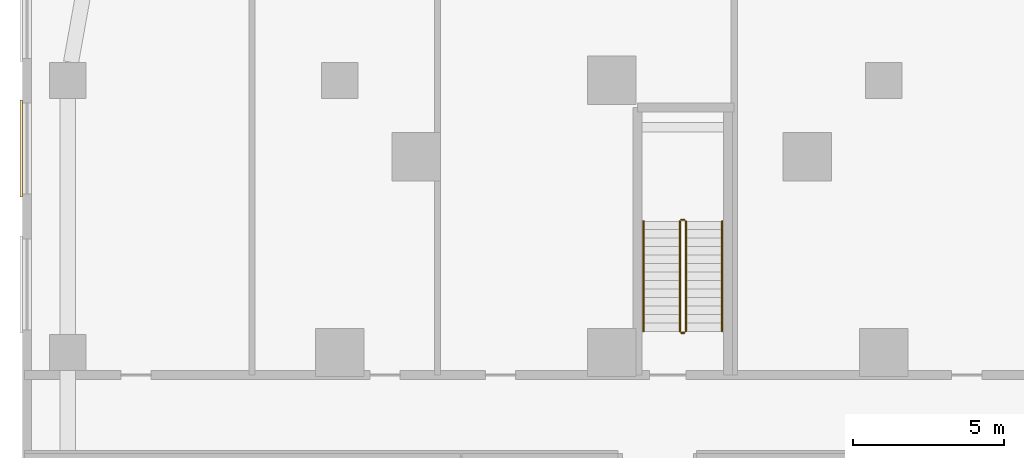
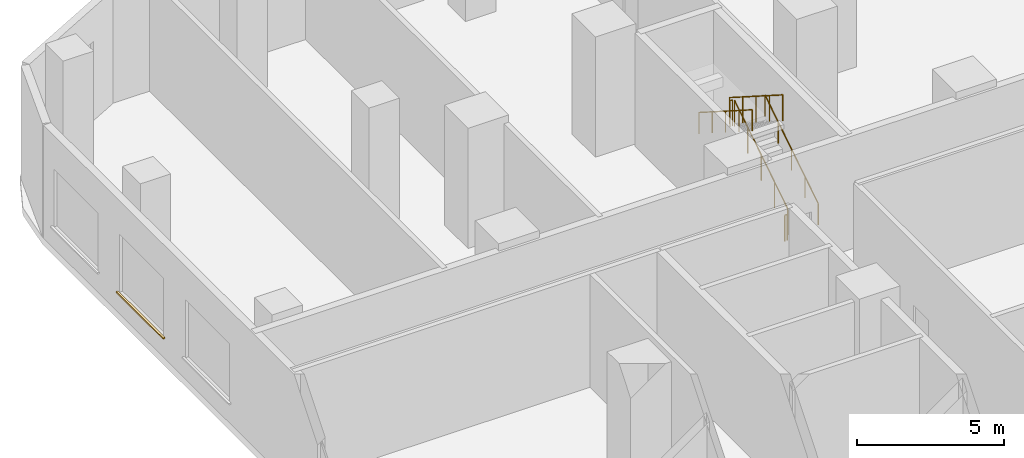
# One storey, part 28 of 35: 6 railings, 1 covering.
"""IFC4 building model written with IfcOpenShell, lengths in metres."""

from ifc_helpers import new_model, si_unit, direction, frame, origin, origin_2d, place, context, subcontext, project, spatial, rectangle, circle, extrude, material, layer, layer_set, type_object, element, save


model = new_model("IFC4")

# Units and contexts
model_context = context("Model", 3, precision=1e-05, world=origin(), true_north=direction((0.0, 1.0)))
body_context = subcontext(model_context, "Body", "Model", "MODEL_VIEW")
ifc_project = project(units=[si_unit("LENGTHUNIT", "METRE"), si_unit("AREAUNIT", "SQUARE_METRE"), si_unit("VOLUMEUNIT", "CUBIC_METRE"), si_unit("PLANEANGLEUNIT", "RADIAN"), si_unit("MASSUNIT", "GRAM", prefix="KILO")], contexts=[model_context])

# Site, building, storey
site_placement = place(None, origin())
site = spatial("IfcSite", under=ifc_project, at=site_placement, CompositionType="ELEMENT")
building_placement = place(site_placement, origin())
building = spatial("IfcBuilding", under=site, at=building_placement, Name="Ogive Portal Towers", CompositionType="ELEMENT")
storey_placement = place(building_placement, frame((0.0, 0.0, 18.5)))
storey = spatial("IfcBuildingStorey", under=building, at=storey_placement, Name="L03", CompositionType="ELEMENT", Elevation=18.5)

# Railings
ifc_material_1 = material(Name="Stainless steel balustrade", Category="steel")
railing_type_1 = type_object("IfcRailingType", Name="INT-GUARD", PredefinedType="GUARDRAIL", material=ifc_material_1)
railing_1_placement = place(storey_placement, frame((42.949951171875, 67.199951171875, 0.178466796875)))
element("IfcRailing", 1, at=railing_1_placement, inside=storey, type_object=railing_type_1, Name="L03 ST-A3 stair guard 1", PredefinedType="GUARDRAIL", context=body_context, shape_type="SweptSolid", body=[
    extrude(circle(Radius=0.02392578125, at=origin_2d()), frame((0.0, 0.0, 1.076171875), z_axis=(0.0, 0.843127859045, 0.537713132908), x_axis=(-1.0, 0.0, 0.0)), (0.0, 0.0, 1.0), 4.3173828125),
    extrude(circle(Radius=0.02099609375, at=origin_2d()), origin(), (0.0, 0.0, 1.0), 1.052001953125),
    extrude(circle(Radius=0.02099609375, at=origin_2d()), frame((0.0, 0.91015625, 0.580322265625)), (0.0, 0.0, 1.0), 1.052001953125),
    extrude(circle(Radius=0.02099609375, at=origin_2d()), frame((0.0, 1.820068359375, 1.16064453125)), (0.0, 0.0, 1.0), 1.052001953125),
    extrude(circle(Radius=0.02099609375, at=origin_2d()), frame((0.0, 2.72998046875, 1.7412109375)), (0.0, 0.0, 1.0), 1.052001953125),
    extrude(circle(Radius=0.02099609375, at=origin_2d()), frame((0.0, 3.64013671875, 2.321533203125)), (0.0, 0.0, 1.0), 1.052001953125),
])
railing_2_placement = place(storey_placement, frame((42.89990234375, 70.889892578125, 2.5)))
element("IfcRailing", 2, at=railing_2_placement, inside=storey, type_object=railing_type_1, Name="L03 ST-A3 stair guard 2", PredefinedType="GUARDRAIL", context=body_context, shape_type="SweptSolid", body=[
    extrude(circle(Radius=0.02392578125, at=origin_2d()), frame((0.0, 0.0, 1.076171875), z_axis=(-1.0, 0.0, 0.0), x_axis=(0.0, -1.0, 0.0)), (0.0, 0.0, 1.0), 0.099853515625),
    extrude(circle(Radius=0.02099609375, at=origin_2d()), origin(), (0.0, 0.0, 1.0), 1.052001953125),
    extrude(circle(Radius=0.02099609375, at=origin_2d()), frame((-0.099853515625, 0.0, 0.0)), (0.0, 0.0, 1.0), 1.052001953125),
])
railing_3_placement = place(storey_placement, frame((42.75, 70.840087890625, 2.678466796875)))
element("IfcRailing", 3, at=railing_3_placement, inside=storey, type_object=railing_type_1, Name="L03 ST-A3 stair guard 3", PredefinedType="GUARDRAIL", context=body_context, shape_type="SweptSolid", body=[
    extrude(circle(Radius=0.02392578125, at=origin_2d()), frame((0.0, 0.0, 1.076171875), z_axis=(0.0, -0.843127859045, 0.537713132908), x_axis=(1.0, 0.0, 0.0)), (0.0, 0.0, 1.0), 4.3173828125),
    extrude(circle(Radius=0.02099609375, at=origin_2d()), origin(), (0.0, 0.0, 1.0), 1.052001953125),
    extrude(circle(Radius=0.02099609375, at=origin_2d()), frame((0.0, -0.91015625, 0.580322265625)), (0.0, 0.0, 1.0), 1.052001953125),
    extrude(circle(Radius=0.02099609375, at=origin_2d()), frame((0.0, -1.820068359375, 1.16064453125)), (0.0, 0.0, 1.0), 1.052001953125),
    extrude(circle(Radius=0.02099609375, at=origin_2d()), frame((0.0, -2.72998046875, 1.7412109375)), (0.0, 0.0, 1.0), 1.052001953125),
    extrude(circle(Radius=0.02099609375, at=origin_2d()), frame((0.0, -3.64013671875, 2.321533203125)), (0.0, 0.0, 1.0), 1.052001953125),
])
railing_4_placement = place(storey_placement, frame((42.89990234375, 67.14990234375, 0.0)))
element("IfcRailing", 4, at=railing_4_placement, inside=storey, type_object=railing_type_1, Name="L03 ST-A3 stair guard 4", PredefinedType="GUARDRAIL", context=body_context, shape_type="SweptSolid", body=[
    extrude(circle(Radius=0.02392578125, at=origin_2d()), frame((0.0, 0.0, 1.076171875), z_axis=(-1.0, 0.0, 0.0), x_axis=(0.0, -1.0, 0.0)), (0.0, 0.0, 1.0), 0.099853515625),
    extrude(circle(Radius=0.02099609375, at=origin_2d()), origin(), (0.0, 0.0, 1.0), 1.052001953125),
    extrude(circle(Radius=0.02099609375, at=origin_2d()), frame((-0.099853515625, 0.0, 0.0)), (0.0, 0.0, 1.0), 1.052001953125),
])
ifc_material_2 = material(Name="Stainless steel handrail", Category="steel")
railing_type_2 = type_object("IfcRailingType", Name="INT-HANDRAIL", PredefinedType="HANDRAIL", material=ifc_material_2)
railing_5_placement = place(storey_placement, frame((44.14990234375, 67.199951171875, 0.178466796875)))
element("IfcRailing", 5, at=railing_5_placement, inside=storey, type_object=railing_type_2, Name="L03 ST-A3 stair handrail 1", PredefinedType="HANDRAIL", context=body_context, shape_type="SweptSolid", body=[
    extrude(circle(Radius=0.02392578125, at=origin_2d()), frame((0.0, 0.0, 0.8759765625), z_axis=(0.0, 0.843127859045, 0.537713132908), x_axis=(-1.0, 0.0, 0.0)), (0.0, 0.0, 1.0), 4.3173828125),
    extrude(circle(Radius=0.02099609375, at=origin_2d()), origin(), (0.0, 0.0, 1.0), 0.851806640625),
    extrude(circle(Radius=0.02099609375, at=origin_2d()), frame((0.0, 0.91015625, 0.580322265625)), (0.0, 0.0, 1.0), 0.851806640625),
    extrude(circle(Radius=0.02099609375, at=origin_2d()), frame((0.0, 1.820068359375, 1.16064453125)), (0.0, 0.0, 1.0), 0.851806640625),
    extrude(circle(Radius=0.02099609375, at=origin_2d()), frame((0.0, 2.72998046875, 1.7412109375)), (0.0, 0.0, 1.0), 0.851806640625),
    extrude(circle(Radius=0.02099609375, at=origin_2d()), frame((0.0, 3.64013671875, 2.321533203125)), (0.0, 0.0, 1.0), 0.851806640625),
])
railing_6_placement = place(storey_placement, frame((41.550048828125, 70.840087890625, 2.678466796875)))
element("IfcRailing", 6, at=railing_6_placement, inside=storey, type_object=railing_type_2, Name="L03 ST-A3 stair handrail 2", PredefinedType="HANDRAIL", context=body_context, shape_type="SweptSolid", body=[
    extrude(circle(Radius=0.02392578125, at=origin_2d()), frame((0.0, 0.0, 0.8759765625), z_axis=(0.0, -0.843127859045, 0.537713132908), x_axis=(1.0, 0.0, 0.0)), (0.0, 0.0, 1.0), 4.3173828125),
    extrude(circle(Radius=0.02099609375, at=origin_2d()), origin(), (0.0, 0.0, 1.0), 0.851806640625),
    extrude(circle(Radius=0.02099609375, at=origin_2d()), frame((0.0, -0.91015625, 0.580322265625)), (0.0, 0.0, 1.0), 0.851806640625),
    extrude(circle(Radius=0.02099609375, at=origin_2d()), frame((0.0, -1.820068359375, 1.16064453125)), (0.0, 0.0, 1.0), 0.851806640625),
    extrude(circle(Radius=0.02099609375, at=origin_2d()), frame((0.0, -2.72998046875, 1.7412109375)), (0.0, 0.0, 1.0), 0.851806640625),
    extrude(circle(Radius=0.02099609375, at=origin_2d()), frame((0.0, -3.64013671875, 2.321533203125)), (0.0, 0.0, 1.0), 0.851806640625),
])

# Covering
ifc_material_3 = material(Name="Limestone cladding on lightweight block wall", Category="masonry")
ifc_layer = layer(ifc_material_3, 0.080078125)
ifc_layer_set = layer_set([ifc_layer], Name="STONE SILL 80")
covering_type = type_object("IfcCoveringType", Name="STONE SILL 80", PredefinedType="CLADDING", material=ifc_layer_set)
covering_placement = place(storey_placement, frame((20.9599609375, 73.25, 0.840087890625), z_axis=(0.0, 0.0, 1.0), x_axis=(0.0, -1.0, 0.0)))
element("IfcCovering", 7, at=covering_placement, inside=storey, type_object=covering_type, Name="Stone sill", PredefinedType="CLADDING", context=body_context, shape_type="SweptSolid", body=[
    extrude(rectangle(XDim=3.199951171875, YDim=0.080078125, at=origin_2d()), origin(), (0.0, 0.0, 1.0), 0.06005859375),
])

save(model, "model.ifc")
